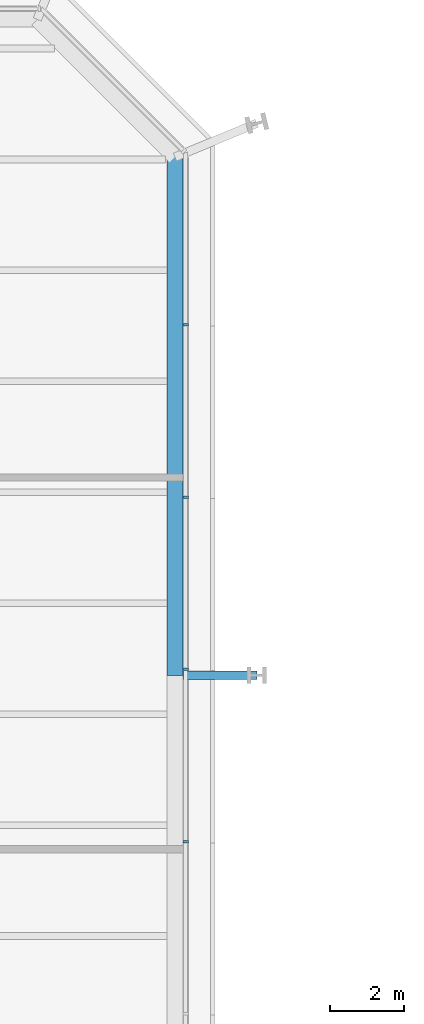
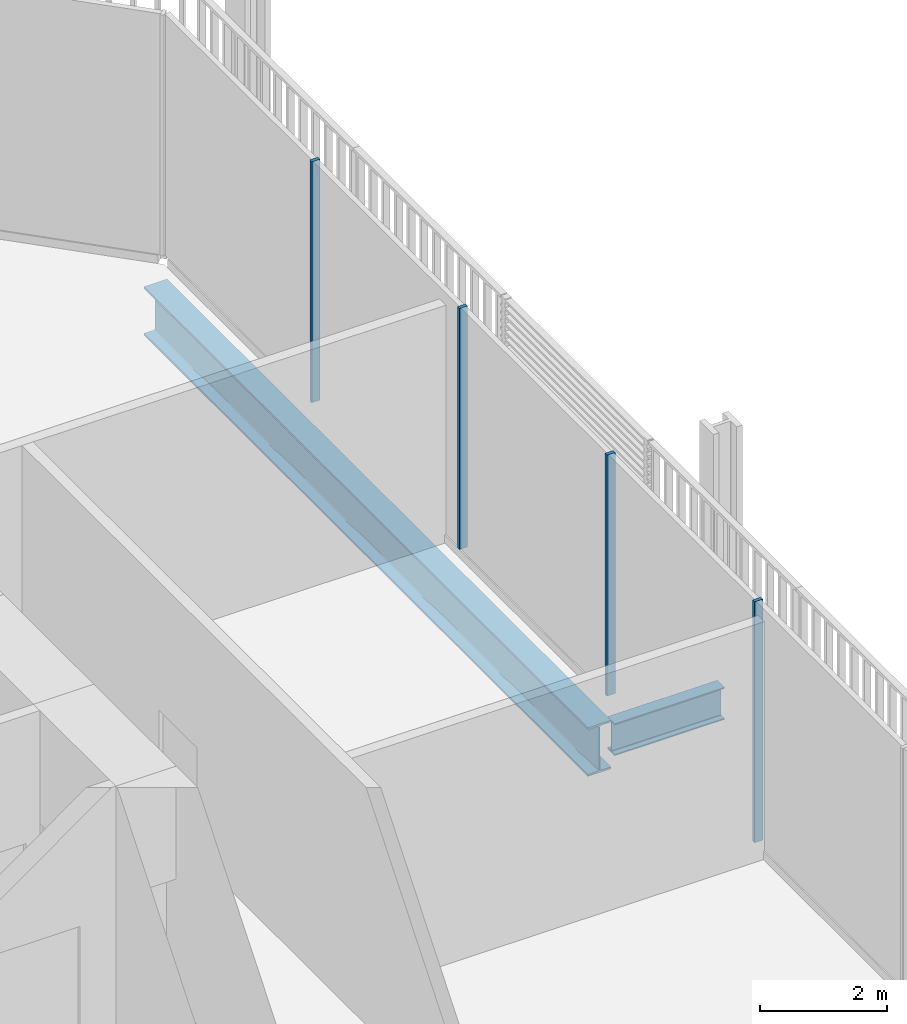
# One storey, part 13 of 25: 4 members, 2 beams, 1 element without a shape of its own.
"""IFC4 building model written with IfcOpenShell, lengths in metres."""

from ifc_helpers import new_model, si_unit, direction, frame, origin, origin_2d, place, context, subcontext, project, spatial, rectangle, i_section, extrude, material, layer, layer_set, material_profile, profile_set, type_object, element, aggregate, save


model = new_model("IFC4")

# Units and contexts
model_context = context("Model", 3, precision=1e-05, world=origin(), true_north=direction((0.0, 1.0)))
body_context = subcontext(model_context, "Body", "Model", "MODEL_VIEW")
ifc_project = project(units=[si_unit("LENGTHUNIT", "METRE"), si_unit("AREAUNIT", "SQUARE_METRE"), si_unit("VOLUMEUNIT", "CUBIC_METRE"), si_unit("PLANEANGLEUNIT", "RADIAN"), si_unit("MASSUNIT", "GRAM", prefix="KILO")], contexts=[model_context])

# Site, building, storey
site_placement = place(None, origin())
site = spatial("IfcSite", under=ifc_project, at=site_placement, CompositionType="ELEMENT")
building_placement = place(site_placement, origin())
building = spatial("IfcBuilding", under=site, at=building_placement, Name="Millrace Tower", CompositionType="ELEMENT")
storey_placement = place(building_placement, frame((0.0, 0.0, 6.5)))
storey = spatial("IfcBuildingStorey", under=building, at=storey_placement, Name="L02", CompositionType="ELEMENT", Elevation=6.5)

# Curtain wall, members
ifc_material_1 = material(Name="Aluminium and glass", Category="aluminium")
ifc_layer = layer(ifc_material_1, 0.14990234375)
ifc_layer_set = layer_set([ifc_layer], Name="Aluminium and glass")
curtain_wall_type = type_object("IfcCurtainWallType", Name="CW-2 data hall insulated curtain wall", PredefinedType="NOTDEFINED", material=ifc_layer_set)
curtain_wall_placement = place(storey_placement, origin())
curtain_wall = element("IfcCurtainWall", 1, at=curtain_wall_placement, inside=storey, type_object=curtain_wall_type, Name="Curtain wall AW2-F02 L02 CW2", PredefinedType="NOTDEFINED")
ifc_material_2 = material(Name="Aluminium", Category="aluminium")
ifc_material_profile_1 = material_profile(ifc_material_2, rectangle(XDim=0.06494140625, YDim=0.14990234375, at=origin_2d()))
ifc_profile_set_1 = profile_set([ifc_material_profile_1], Name="Aluminium")
member_type = type_object("IfcMemberType", Name="CW-2 data hall insulated curtain wall mullion", PredefinedType="MULLION", material=ifc_profile_set_1)
member_1_placement = place(storey_placement, frame((25.074951171875, 2.5517578125, 0.159912109375), z_axis=(0.0, 0.0, 1.0), x_axis=(0.0, 1.0, 0.0)))
member_1 = element("IfcMember", 2, at=member_1_placement, type_object=member_type, Name="CW2 mullion AW2-F02.10", PredefinedType="MULLION", context=body_context, shape_type="SweptSolid", body=[
    extrude(rectangle(XDim=0.06494140625, YDim=0.14990234375, at=origin_2d()), origin(), (0.0, 0.0, 1.0), 4.64013671875),
])
member_2_placement = place(storey_placement, frame((25.074951171875, 7.20947265625, 0.159912109375), z_axis=(0.0, 0.0, 1.0), x_axis=(0.0, 1.0, 0.0)))
member_2 = element("IfcMember", 3, at=member_2_placement, type_object=member_type, Name="CW2 mullion AW2-F02.11", PredefinedType="MULLION", context=body_context, shape_type="SweptSolid", body=[
    extrude(rectangle(XDim=0.06494140625, YDim=0.14990234375, at=origin_2d()), origin(), (0.0, 0.0, 1.0), 4.64013671875),
])
member_3_placement = place(storey_placement, frame((25.074951171875, 11.8671875, 0.159912109375), z_axis=(0.0, 0.0, 1.0), x_axis=(0.0, 1.0, 0.0)))
member_3 = element("IfcMember", 4, at=member_3_placement, type_object=member_type, Name="CW2 mullion AW2-F02.12", PredefinedType="MULLION", context=body_context, shape_type="SweptSolid", body=[
    extrude(rectangle(XDim=0.06494140625, YDim=0.14990234375, at=origin_2d()), origin(), (0.0, 0.0, 1.0), 4.64013671875),
])
member_4_placement = place(storey_placement, frame((25.074951171875, 16.52490234375, 0.159912109375), z_axis=(0.0, 0.0, 1.0), x_axis=(0.0, 1.0, 0.0)))
member_4 = element("IfcMember", 5, at=member_4_placement, type_object=member_type, Name="CW2 mullion AW2-F02.13", PredefinedType="MULLION", context=body_context, shape_type="SweptSolid", body=[
    extrude(rectangle(XDim=0.06494140625, YDim=0.14990234375, at=origin_2d()), origin(), (0.0, 0.0, 1.0), 4.64013671875),
])
aggregate(curtain_wall, [member_1, member_2, member_3, member_4])

# Beams
ifc_material_3 = material(Name="Steel ASTM A992 Grade 50", Category="steel")
ifc_material_profile_2 = material_profile(ifc_material_3, i_section(OverallWidth=0.23046875, OverallDepth=0.6171875, WebThickness=0.01318359375, FlangeThickness=0.022216796875, FilletRadius=0.012939453125, at=origin_2d()))
ifc_profile_set_2 = profile_set([ifc_material_profile_2], Name="Steel ASTM A992 Grade 50")
beam_type_1 = type_object("IfcBeamType", Name="Link beam W24x94", PredefinedType="BEAM", material=ifc_profile_set_2)
beam_1_placement = place(storey_placement, frame((25.0, 7.050048828125, -0.53369140625), z_axis=(1.0, 0.0, 0.0), x_axis=(0.0, 1.0, 0.0)))
element("IfcBeam", 6, at=beam_1_placement, inside=storey, type_object=beam_type_1, Name="LNK-A-L02-S1-11", PredefinedType="BEAM", context=body_context, shape_type="SweptSolid", body=[
    extrude(i_section(OverallWidth=0.23046875, OverallDepth=0.6171875, WebThickness=0.01318359375, FlangeThickness=0.022216796875, FilletRadius=0.012939453125, at=origin_2d()), origin(), (0.0, 0.0, 1.0), 2.0),
])
ifc_material_4 = material(Name="Steel ASTM A992 Grade 50", Category="steel")
ifc_material_profile_3 = material_profile(ifc_material_4, i_section(OverallWidth=0.421630859375, OverallDepth=0.937255859375, WebThickness=0.021240234375, FlangeThickness=0.03662109375, FilletRadius=0.024169921875, at=origin_2d()))
ifc_profile_set_3 = profile_set([ifc_material_profile_3], Name="Steel ASTM A992 Grade 50")
beam_type_2 = type_object("IfcBeamType", Name="Ring beam medium span W36x262", PredefinedType="SPANDREL", material=ifc_profile_set_3)
beam_2_placement = place(storey_placement, frame((24.7890625, 21.062744140625, -0.693603515625), z_axis=(0.0, -1.0, 0.0), x_axis=(1.0, 0.0, 0.0)))
element("IfcBeam", 7, at=beam_2_placement, inside=storey, type_object=beam_type_2, Name="RNG-A-L02-S1-10", PredefinedType="SPANDREL", context=body_context, shape_type="SweptSolid", body=[
    extrude(i_section(OverallWidth=0.421630859375, OverallDepth=0.937255859375, WebThickness=0.021240234375, FlangeThickness=0.03662109375, FilletRadius=0.024169921875, at=origin_2d()), origin(), (0.0, 0.0, 1.0), 14.0126953125),
])

save(model, "model.ifc")
